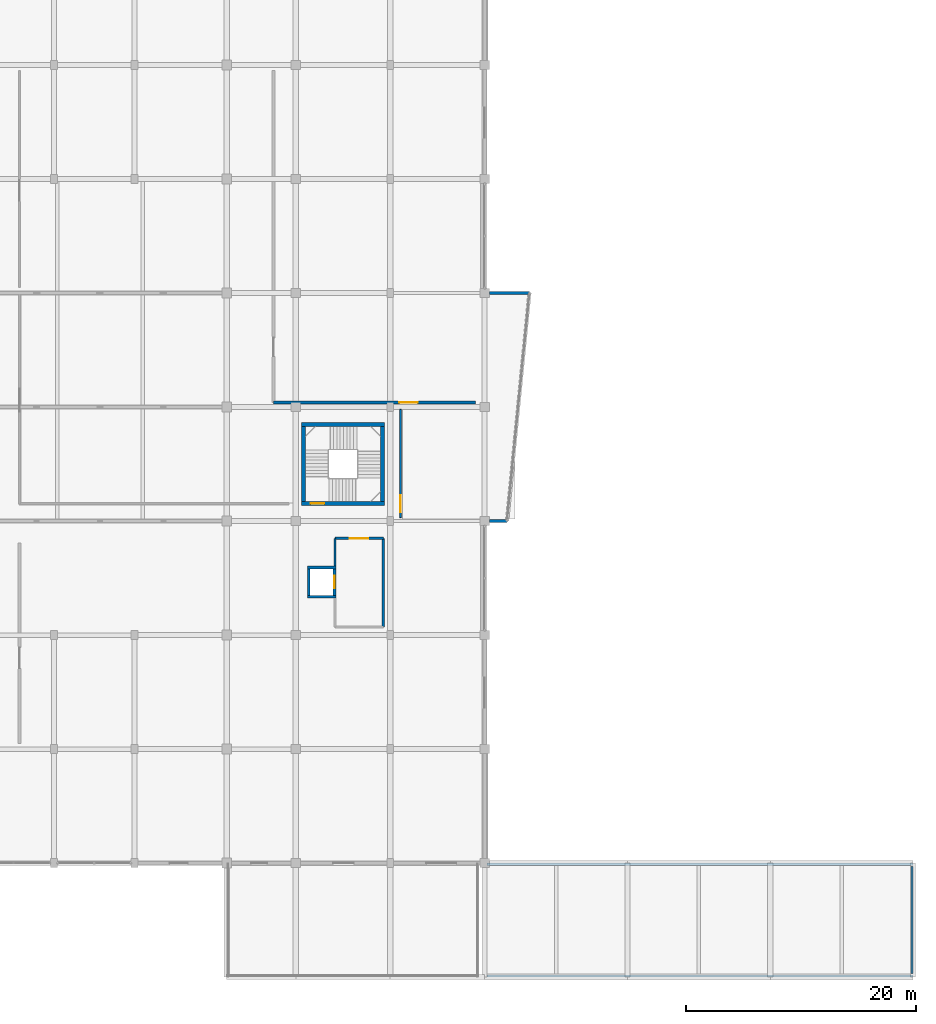
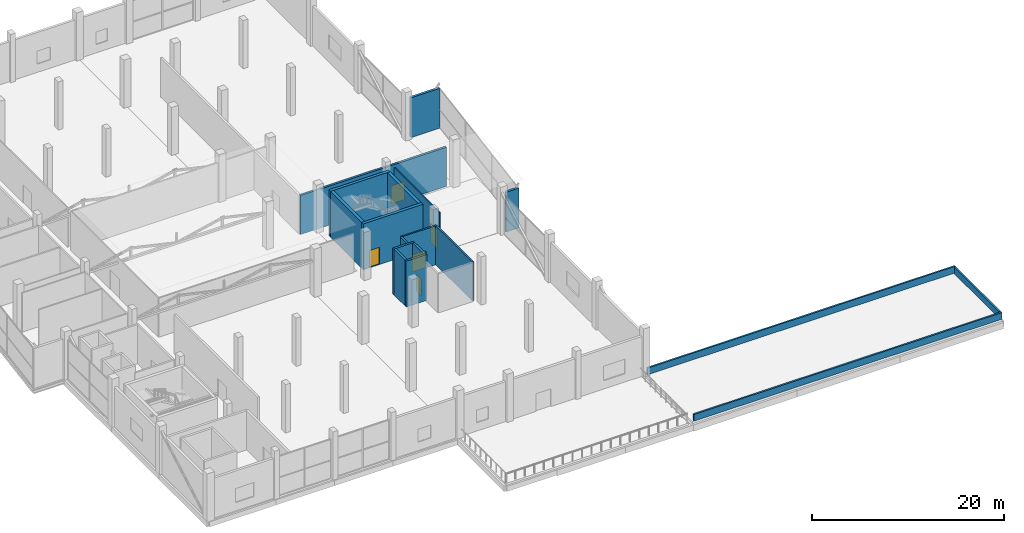
# One storey, part 40 of 58: 18 walls, 5 doors, 5 openings.
"""IFC4 building model written with IfcOpenShell, lengths in metres."""

from ifc_helpers import new_model, si_unit, direction, frame, frame_2d, origin, place, context, subcontext, project, spatial, rectangle, extrude, material, layer, layer_set, type_object, element, fill, save


model = new_model("IFC4")

# Units and contexts
model_context = context("Model", 3, precision=1e-05, world=origin(), true_north=direction((0.0, 1.0)))
body_context = subcontext(model_context, "Body", "Model", "MODEL_VIEW")
ifc_project = project(units=[si_unit("LENGTHUNIT", "METRE"), si_unit("AREAUNIT", "SQUARE_METRE"), si_unit("VOLUMEUNIT", "CUBIC_METRE"), si_unit("PLANEANGLEUNIT", "RADIAN"), si_unit("MASSUNIT", "GRAM", prefix="KILO")], contexts=[model_context])

# Site, building, storey
site_placement = place(None, origin())
site = spatial("IfcSite", under=ifc_project, at=site_placement, CompositionType="ELEMENT")
building_placement = place(site_placement, origin())
building = spatial("IfcBuilding", under=site, at=building_placement, Name="Sillaruma Civic Art Gallery", CompositionType="ELEMENT")
storey_placement = place(building_placement, frame((0.0, 0.0, 22.43994140625)))
storey = spatial("IfcBuildingStorey", under=building, at=storey_placement, Name="L04", CompositionType="ELEMENT", Elevation=22.43994140625)

# Wall, opening, door
ifc_material_1 = material(Name="Concrete H40 (40 MPa)", Category="concrete")
ifc_layer_1 = layer(ifc_material_1, 0.35009765625, Name="Concrete H40 (40 MPa)")
ifc_layer_set_1 = layer_set([ifc_layer_1], Name="Concrete H40 (40 MPa)")
wall_type_1 = type_object("IfcWallType", Name="WAL-CORE-350", PredefinedType="SHEAR", material=ifc_layer_set_1)
wall_1_placement = place(storey_placement, frame((98.510009765625, 51.034912109375, 0.0), z_axis=(0.0, 0.0, 1.0), x_axis=(1.0, 0.0, 0.0)))
wall_1 = element("IfcWall", 1, at=wall_1_placement, inside=storey, type_object=wall_type_1, Name="Stair Core Shear Wall W-CORE-350 (ST-04:L04:S)", PredefinedType="SHEAR", context=body_context, shape_type="SweptSolid", body=[
    extrude(rectangle(XDim=7.179931640625, YDim=0.35009765625, at=frame_2d((3.58984375, 0.0))), origin(), (0.0, 0.0, 1.0), 5.840087890625),
])
opening_1_placement = place(wall_1_placement, frame((0.77001953125, 0.0, 0.0)))
opening_1 = element("IfcOpeningElement", 2, at=opening_1_placement, cuts=wall_1, Name="Opening D-STAIR", PredefinedType="OPENING", context=body_context, shape_type="SweptSolid", body=[
    extrude(rectangle(XDim=1.199951171875, YDim=2.199951171875, at=frame_2d((0.60009765625, 1.10009765625))), frame((0.0, 0.18505859375, 0.0), z_axis=(0.0, -1.0, 0.0), x_axis=(1.0, 0.0, 0.0)), (0.0, 0.0, 1.0), 0.3701171875),
])
ifc_material_2 = material(Name="Galvanised Steel ASTM A653 Gr.50", Category="steel")
door_type_1 = type_object("IfcDoorType", Name="DOR-STAIR-120", OperationType="NOTDEFINED", PredefinedType="DOOR", material=ifc_material_2)
door_1_placement = place(opening_1_placement, origin())
door_1 = element("IfcDoor", 3, at=door_1_placement, inside=storey, type_object=door_type_1, Name="Protected Stair Fire Door (ST-04:L04)", OperationType="SINGLE_SWING_RIGHT", OverallHeight=2.199951171875, OverallWidth=1.199951171875, PredefinedType="DOOR", context=body_context, shape_type="SweptSolid", body=[
    extrude(rectangle(XDim=1.199951171875, YDim=2.199951171875, at=frame_2d((0.60009765625, 1.10009765625))), frame((0.0, 0.02490234375, 0.0), z_axis=(0.0, -1.0, 0.0), x_axis=(1.0, 0.0, 0.0)), (0.0, 0.0, 1.0), 0.050048828125),
])
fill(opening_1, door_1)

# Walls
wall_2_placement = place(storey_placement, frame((98.510009765625, 57.864990234375, 0.0), z_axis=(0.0, 0.0, 1.0), x_axis=(1.0, 0.0, 0.0)))
element("IfcWall", 4, at=wall_2_placement, inside=storey, type_object=wall_type_1, Name="Stair Core Shear Wall W-CORE-350 (ST-04:L04:N)", PredefinedType="SHEAR", context=body_context, shape_type="SweptSolid", body=[
    extrude(rectangle(XDim=7.179931640625, YDim=0.35009765625, at=frame_2d((3.58984375, 0.0))), origin(), (0.0, 0.0, 1.0), 5.840087890625),
])
for number, where, z_axis, x_axis, name in (
    (5, (98.68505859375, 51.2099609375, 0.0), (0.0, 0.0, 1.0), (0.0, 1.0, 0.0), "Stair Core Shear Wall W-CORE-350 (ST-04:L04:W)"),
    (6, (105.514892578125, 51.2099609375, 0.0), (0.0, 0.0, 1.0), (0.0, 1.0, 0.0), "Stair Core Shear Wall W-CORE-350 (ST-04:L04:E)"),
):
    element("IfcWall", number, at=place(storey_placement, frame(where, z_axis=z_axis, x_axis=x_axis)), inside=storey, type_object=wall_type_1, Name=name, PredefinedType="SHEAR", context=body_context, shape_type="SweptSolid", body=[
        extrude(rectangle(XDim=6.47998046875, YDim=0.35009765625, at=frame_2d((3.239990234375, 0.0))), origin(), (0.0, 0.0, 1.0), 5.840087890625),
    ])
ifc_material_3 = material(Name="Concrete H35 (35 MPa)", Category="concrete")
ifc_layer_2 = layer(ifc_material_3, 0.159912109375, Name="Concrete backup", Category="concrete")
ifc_material_4 = material(Name="Mineral Wool Thermal Insulation", Category="insulation")
ifc_layer_3 = layer(ifc_material_4, 0.090087890625, Name="Thermal insulation", Category="insulation")
ifc_material_5 = material(Name="Anodised Zinc-Aluminium Alloy", Category="aluminium")
ifc_layer_4 = layer(ifc_material_5, 0.030029296875, Name="Rainscreen finish", Category="aluminium")
ifc_layer_set_2 = layer_set([ifc_layer_2, ifc_layer_3, ifc_layer_4], Name="W-EXT-280")
wall_type_2 = type_object("IfcWallType", Name="WAL-EXT-280", PredefinedType="SOLIDWALL", material=ifc_layer_set_2)
wall_3_placement = place(storey_placement, frame((114.800048828125, 49.5, 0.0), z_axis=(0.0, 0.0, 1.0), x_axis=(1.0, 0.0, 0.0)))
element("IfcWall", 7, at=wall_3_placement, inside=storey, type_object=wall_type_2, Name="Exterior Wall W-EXT-280 (EW-PRW-L04-E-S1)", PredefinedType="SOLIDWALL", context=body_context, shape_type="SweptSolid", body=[
    extrude(rectangle(XDim=1.550048828125, YDim=0.280029296875, at=frame_2d((0.77490234375, 0.0))), origin(), (0.0, 0.0, 1.0), 5.06005859375),
])
wall_4_placement = place(storey_placement, frame((118.300048828125, 69.300048828125, 0.0), z_axis=(0.0, 0.0, 1.0), x_axis=(-1.0, 0.0, 0.0)))
element("IfcWall", 8, at=wall_4_placement, inside=storey, type_object=wall_type_2, Name="Exterior Wall W-EXT-280 (EW-PRW-L04-E-S3)", PredefinedType="SOLIDWALL", context=body_context, shape_type="SweptSolid", body=[
    extrude(rectangle(XDim=3.5, YDim=0.280029296875, at=frame_2d((1.75, 0.0))), origin(), (0.0, 0.0, 1.0), 5.06005859375),
])
ifc_material_6 = material(Name="Concrete Masonry Unit Grade M15", Category="masonry")
ifc_layer_5 = layer(ifc_material_6, 0.199951171875, Name="Concrete Masonry Unit Grade M15")
ifc_layer_set_3 = layer_set([ifc_layer_5], Name="Concrete Masonry Unit Grade M15")
wall_type_3 = type_object("IfcWallType", Name="WAL-LOBBY-200", PredefinedType="SOLIDWALL", material=ifc_layer_set_3)
wall_5_placement = place(storey_placement, frame((101.39990234375, 45.60009765625, 0.0), z_axis=(0.0, 0.0, 1.0), x_axis=(0.0, 1.0, 0.0)))
element("IfcWall", 9, at=wall_5_placement, inside=storey, type_object=wall_type_3, Name="Interior Wall W-LOBBY-200 (L04-LLE)", PredefinedType="SOLIDWALL", context=body_context, shape_type="SweptSolid", body=[
    extrude(rectangle(XDim=2.39990234375, YDim=0.199951171875, at=frame_2d((1.199951171875, 0.0))), origin(), (0.0, 0.0, 1.0), 4.9599609375),
])
wall_6_placement = place(storey_placement, frame((105.60009765625, 40.300048828125, 0.0), z_axis=(0.0, 0.0, 1.0), x_axis=(0.0, 1.0, 0.0)))
element("IfcWall", 10, at=wall_6_placement, inside=storey, type_object=wall_type_3, Name="Interior Wall W-LOBBY-200 (L04-LLE)", PredefinedType="SOLIDWALL", context=body_context, shape_type="SweptSolid", body=[
    extrude(rectangle(XDim=7.699951171875, YDim=0.199951171875, at=frame_2d((3.85009765625, 0.0))), origin(), (0.0, 0.0, 1.0), 4.9599609375),
])

# Wall, opening, door
wall_7_placement = place(storey_placement, frame((101.39990234375, 48.0, 0.0), z_axis=(0.0, 0.0, 1.0), x_axis=(1.0, 0.0, 0.0)))
wall_7 = element("IfcWall", 11, at=wall_7_placement, inside=storey, type_object=wall_type_3, Name="Interior Wall W-LOBBY-200 (L04-LLE)", PredefinedType="SOLIDWALL", context=body_context, shape_type="SweptSolid", body=[
    extrude(rectangle(XDim=4.2001953125, YDim=0.199951171875, at=frame_2d((2.10009765625, 0.0))), origin(), (0.0, 0.0, 1.0), 4.9599609375),
])
opening_2_placement = place(wall_7_placement, frame((1.300048828125, 0.0, 0.0)))
opening_2 = element("IfcOpeningElement", 12, at=opening_2_placement, cuts=wall_7, Name="Opening D-LOBBY", PredefinedType="OPENING", context=body_context, shape_type="SweptSolid", body=[
    extrude(rectangle(XDim=1.60009765625, YDim=2.199951171875, at=frame_2d((0.800048828125, 1.10009765625))), frame((0.0, 0.10986328125, 0.0), z_axis=(0.0, -1.0, 0.0), x_axis=(1.0, 0.0, 0.0)), (0.0, 0.0, 1.0), 0.219970703125),
])
ifc_material_7 = material(Name="Thermally Broken Extruded Aluminium 6063-T6", Category="aluminium")
door_type_2 = type_object("IfcDoorType", Name="DOR-LOBBY-160", OperationType="NOTDEFINED", PredefinedType="DOOR", material=ifc_material_7)
door_2_placement = place(opening_2_placement, origin())
door_2 = element("IfcDoor", 13, at=door_2_placement, inside=storey, type_object=door_type_2, Name="East Lift Lobby Door (D-LOBBY)", OperationType="DOUBLE_DOOR_SINGLE_SWING", OverallHeight=2.199951171875, OverallWidth=1.60009765625, PredefinedType="DOOR", context=body_context, shape_type="SweptSolid", body=[
    extrude(rectangle(XDim=1.60009765625, YDim=2.199951171875, at=frame_2d((0.800048828125, 1.10009765625))), frame((0.0, 0.02490234375, 0.0), z_axis=(0.0, -1.0, 0.0), x_axis=(1.0, 0.0, 0.0)), (0.0, 0.0, 1.0), 0.050048828125),
])
fill(opening_2, door_2)

# Walls
ifc_layer_6 = layer(ifc_material_3, 0.199951171875, Name="Concrete H35 (35 MPa)")
ifc_layer_set_4 = layer_set([ifc_layer_6], Name="Concrete H35 (35 MPa)")
wall_type_4 = type_object("IfcWallType", Name="WAL-PAR-200", PredefinedType="PARAPET", material=ifc_layer_set_4)
for number, where, z_axis, x_axis, name in (
    (14, (114.60009765625, 19.699951171875, 0.0), (0.0, 0.0, 1.0), (1.0, 0.0, 0.0), "Roof Parapet (L04-HH5-N)"),
    (15, (114.60009765625, 10.0, 0.0), (0.0, 0.0, 1.0), (1.0, 0.0, 0.0), "Roof Parapet (L04-HH5-S)"),
):
    element("IfcWall", number, at=place(storey_placement, frame(where, z_axis=z_axis, x_axis=x_axis)), inside=storey, type_object=wall_type_4, Name=name, PredefinedType="PARAPET", context=body_context, shape_type="SweptSolid", body=[
        extrude(rectangle(XDim=37.0, YDim=0.199951171875, at=frame_2d((18.5, 0.0))), origin(), (0.0, 0.0, 1.0), 0.85009765625),
    ])
wall_8_placement = place(storey_placement, frame((151.5, 10.199951171875, 0.0), z_axis=(0.0, 0.0, 1.0), x_axis=(0.0, 1.0, 0.0)))
element("IfcWall", 16, at=wall_8_placement, inside=storey, type_object=wall_type_4, Name="Roof Parapet (L04-HH5-E)", PredefinedType="PARAPET", context=body_context, shape_type="SweptSolid", body=[
    extrude(rectangle(XDim=9.300048828125, YDim=0.199951171875, at=frame_2d((4.64990234375, 0.0))), origin(), (0.0, 0.0, 1.0), 0.85009765625),
])

# Wall, opening, door
ifc_material_8 = material(Name="Gypsum Acoustic Board", Category="gypsum")
ifc_layer_7 = layer(ifc_material_8, 0.02490234375, Name="Finish board", Category="gypsum")
ifc_layer_8 = layer(ifc_material_4, 0.10009765625, Name="Acoustic core", Category="insulation")
ifc_material_9 = material(Name="Andean Oak Timber", Category="wood")
ifc_layer_9 = layer(ifc_material_9, 0.02490234375, Name="Gallery lining", Category="wood")
ifc_layer_set_5 = layer_set([ifc_layer_7, ifc_layer_8, ifc_layer_9], Name="W-PT-150")
wall_type_5 = type_object("IfcWallType", Name="WAL-PART-150", PredefinedType="PARTITIONING", material=ifc_layer_set_5)
wall_9_placement = place(storey_placement, frame((107.10009765625, 49.800048828125, 0.0), z_axis=(0.0, 0.0, 1.0), x_axis=(0.0, 1.0, 0.0)))
wall_9 = element("IfcWall", 17, at=wall_9_placement, inside=storey, type_object=wall_type_5, Name="Interior Wall W-PT-150 (L04-GAL42)", PredefinedType="PARTITIONING", context=body_context, shape_type="SweptSolid", body=[
    extrude(rectangle(XDim=9.39990234375, YDim=0.14990234375, at=frame_2d((4.699951171875, 0.0))), origin(), (0.0, 0.0, 1.0), 4.9599609375),
])
opening_3_placement = place(wall_9_placement, frame((0.449951171875, 0.0, 0.0)))
opening_3 = element("IfcOpeningElement", 18, at=opening_3_placement, cuts=wall_9, Name="Opening D-GAL15", PredefinedType="OPENING", context=body_context, shape_type="SweptSolid", body=[
    extrude(rectangle(XDim=1.5, YDim=2.39990234375, at=frame_2d((0.75, 1.199951171875))), frame((0.0, 0.0849609375, 0.0), z_axis=(0.0, -1.0, 0.0), x_axis=(1.0, 0.0, 0.0)), (0.0, 0.0, 1.0), 0.169921875),
])
door_type_3 = type_object("IfcDoorType", Name="DOR-GAL-150", OperationType="NOTDEFINED", PredefinedType="DOOR", material=ifc_material_9)
door_3_placement = place(opening_3_placement, origin())
door_3 = element("IfcDoor", 19, at=door_3_placement, inside=storey, type_object=door_type_3, Name="East Prow Cantilever Gallery Door (D-GAL15)", OperationType="SINGLE_SWING_RIGHT", OverallHeight=2.39990234375, OverallWidth=1.5, PredefinedType="DOOR", context=body_context, shape_type="SweptSolid", body=[
    extrude(rectangle(XDim=1.5, YDim=2.39990234375, at=frame_2d((0.75, 1.199951171875))), frame((0.0, 0.02490234375, 0.0), z_axis=(0.0, -1.0, 0.0), x_axis=(1.0, 0.0, 0.0)), (0.0, 0.0, 1.0), 0.050048828125),
])
fill(opening_3, door_3)

# Walls
ifc_layer_10 = layer(ifc_material_1, 0.25, Name="Concrete H40 (40 MPa)")
ifc_layer_set_6 = layer_set([ifc_layer_10], Name="Concrete H40 (40 MPa)")
wall_type_6 = type_object("IfcWallType", Name="WAL-SHAFT-250", PredefinedType="SOLIDWALL", material=ifc_layer_set_6)
for number, where, z_axis, x_axis, name in (
    (20, (99.0, 42.925048828125, 0.0), (0.0, 0.0, 1.0), (1.0, 0.0, 0.0), "Lift Shaft Wall W-SHAFT-250 (PL-03:L04:S)"),
    (21, (99.0, 45.47509765625, 0.0), (0.0, 0.0, 1.0), (1.0, 0.0, 0.0), "Lift Shaft Wall W-SHAFT-250 (PL-03:L04:N)"),
):
    element("IfcWall", number, at=place(storey_placement, frame(where, z_axis=z_axis, x_axis=x_axis)), inside=storey, type_object=wall_type_6, Name=name, PredefinedType="SOLIDWALL", context=body_context, shape_type="SweptSolid", body=[
        extrude(rectangle(XDim=2.5, YDim=0.25, at=frame_2d((1.25, 0.0))), origin(), (0.0, 0.0, 1.0), 5.820068359375),
    ])
wall_10_placement = place(storey_placement, frame((99.125, 43.050048828125, 0.0), z_axis=(0.0, 0.0, 1.0), x_axis=(0.0, 1.0, 0.0)))
element("IfcWall", 22, at=wall_10_placement, inside=storey, type_object=wall_type_6, Name="Lift Shaft Wall W-SHAFT-250 (PL-03:L04:W)", PredefinedType="SOLIDWALL", context=body_context, shape_type="SweptSolid", body=[
    extrude(rectangle(XDim=2.300048828125, YDim=0.25, at=frame_2d((1.14990234375, 0.0))), origin(), (0.0, 0.0, 1.0), 5.820068359375),
])

# Wall, opening, door
wall_11_placement = place(storey_placement, frame((101.375, 43.050048828125, 0.0), z_axis=(0.0, 0.0, 1.0), x_axis=(0.0, 1.0, 0.0)))
wall_11 = element("IfcWall", 23, at=wall_11_placement, inside=storey, type_object=wall_type_6, Name="Lift Shaft Wall W-SHAFT-250 (PL-03:L04:E)", PredefinedType="SOLIDWALL", context=body_context, shape_type="SweptSolid", body=[
    extrude(rectangle(XDim=2.300048828125, YDim=0.25, at=frame_2d((1.14990234375, 0.0))), origin(), (0.0, 0.0, 1.0), 5.820068359375),
])
opening_4_placement = place(wall_11_placement, frame((0.60009765625, 0.0, 0.0)))
opening_4 = element("IfcOpeningElement", 24, at=opening_4_placement, cuts=wall_11, Name="Opening LD-01", PredefinedType="OPENING", context=body_context, shape_type="SweptSolid", body=[
    extrude(rectangle(XDim=1.10009765625, YDim=2.199951171875, at=frame_2d((0.550048828125, 1.10009765625))), frame((0.0, 0.135009765625, 0.0), z_axis=(0.0, -1.0, 0.0), x_axis=(1.0, 0.0, 0.0)), (0.0, 0.0, 1.0), 0.27001953125),
])
door_type_4 = type_object("IfcDoorType", Name="DOR-LD-01", OperationType="NOTDEFINED", PredefinedType="DOOR", material=ifc_material_2)
door_4_placement = place(opening_4_placement, origin())
door_4 = element("IfcDoor", 25, at=door_4_placement, inside=storey, type_object=door_type_4, Name="Lift Sliding Landing Door LD-01 (PL-03:L04)", OperationType="DOUBLE_DOOR_SLIDING", OverallHeight=2.199951171875, OverallWidth=1.10009765625, PredefinedType="DOOR", context=body_context, shape_type="SweptSolid", body=[
    extrude(rectangle(XDim=1.10009765625, YDim=2.199951171875, at=frame_2d((0.550048828125, 1.10009765625))), frame((0.0, 0.02490234375, 0.0), z_axis=(0.0, -1.0, 0.0), x_axis=(1.0, 0.0, 0.0)), (0.0, 0.0, 1.0), 0.050048828125),
])
fill(opening_4, door_4)

ifc_layer_11 = layer(ifc_material_6, 0.2548828125, Name="Concrete Masonry Unit Grade M15")
ifc_layer_set_7 = layer_set([ifc_layer_11], Name="Concrete Masonry Unit Grade M15")
wall_type_7 = type_object("IfcWallType", Name="WAL-STORE-250", PredefinedType="SOLIDWALL", material=ifc_layer_set_7)
wall_12_placement = place(storey_placement, frame((96.050048828125, 59.800048828125, 0.0), z_axis=(0.0, 0.0, 1.0), x_axis=(1.0, 0.0, 0.0)))
wall_12 = element("IfcWall", 26, at=wall_12_placement, inside=storey, type_object=wall_type_7, Name="Interior Wall W-STORE-250 (L04-STR41)", PredefinedType="SOLIDWALL", context=body_context, shape_type="SweptSolid", body=[
    extrude(rectangle(XDim=17.550048828125, YDim=0.2548828125, at=frame_2d((8.77490234375, 0.0))), origin(), (0.0, 0.0, 1.0), 4.9599609375),
])
opening_5_placement = place(wall_12_placement, frame((10.93994140625, 0.0, 0.0)))
opening_5 = element("IfcOpeningElement", 27, at=opening_5_placement, cuts=wall_12, Name="Opening D-STR16", PredefinedType="OPENING", context=body_context, shape_type="SweptSolid", body=[
    extrude(rectangle(XDim=1.60009765625, YDim=2.300048828125, at=frame_2d((0.800048828125, 1.14990234375))), frame((0.0, 0.137451171875, 0.0), z_axis=(0.0, -1.0, 0.0), x_axis=(1.0, 0.0, 0.0)), (0.0, 0.0, 1.0), 0.27490234375),
])
door_type_5 = type_object("IfcDoorType", Name="DOR-STORE-160", OperationType="NOTDEFINED", PredefinedType="DOOR", material=ifc_material_2)
door_5_placement = place(opening_5_placement, origin())
door_5 = element("IfcDoor", 28, at=door_5_placement, inside=storey, type_object=door_type_5, Name="North-East Conservation Art Store Door (D-STR16)", OperationType="DOUBLE_DOOR_SINGLE_SWING", OverallHeight=2.300048828125, OverallWidth=1.60009765625, PredefinedType="DOOR", context=body_context, shape_type="SweptSolid", body=[
    extrude(rectangle(XDim=1.60009765625, YDim=2.300048828125, at=frame_2d((0.800048828125, 1.14990234375))), frame((0.0, 0.02490234375, 0.0), z_axis=(0.0, -1.0, 0.0), x_axis=(1.0, 0.0, 0.0)), (0.0, 0.0, 1.0), 0.050048828125),
])
fill(opening_5, door_5)

save(model, "model.ifc")
